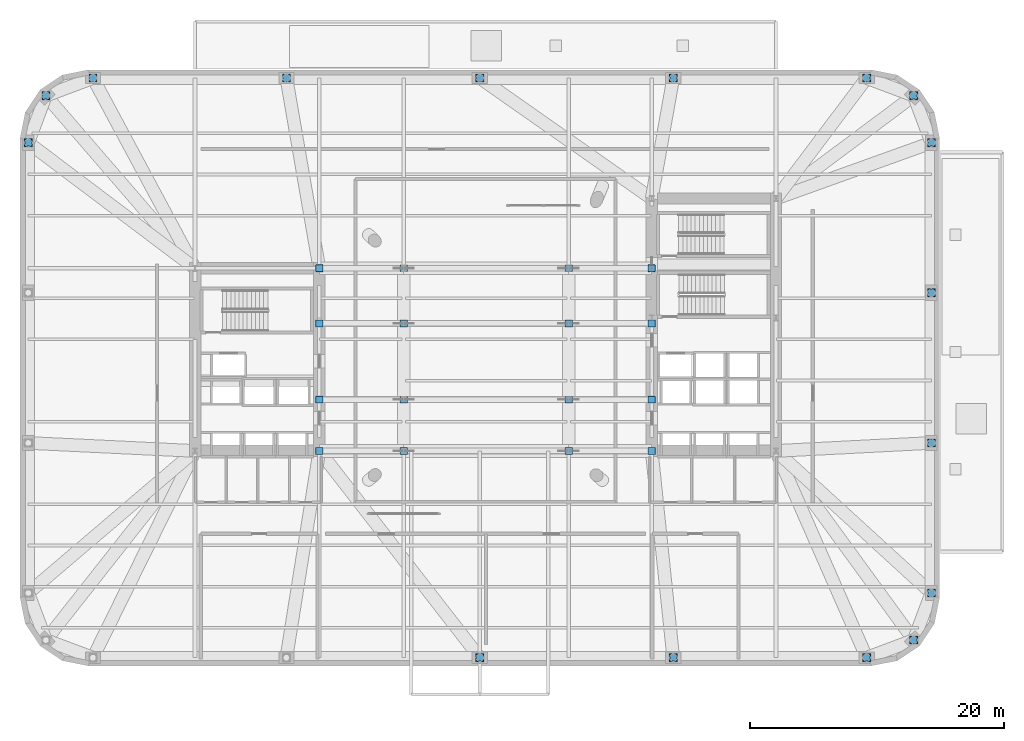
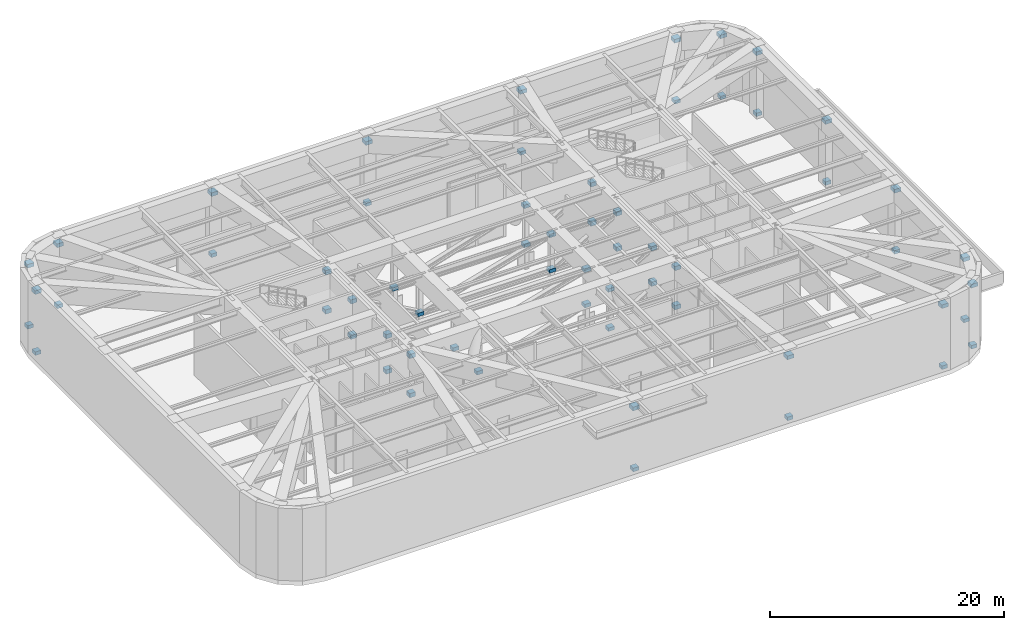
# One storey, part 11 of 15: 76 discrete accessories.
"""IFC4 building model written with IfcOpenShell, lengths in metres."""

from ifc_helpers import new_model, si_unit, direction, frame, origin, origin_2d, place, context, subcontext, project, spatial, rectangle, extrude, material, type_object, element, save


model = new_model("IFC4")

# Units and contexts
model_context = context("Model", 3, precision=1e-05, world=origin(), true_north=direction((0.0, 1.0)))
body_context = subcontext(model_context, "Body", "Model", "MODEL_VIEW")
ifc_project = project(units=[si_unit("LENGTHUNIT", "METRE"), si_unit("AREAUNIT", "SQUARE_METRE"), si_unit("VOLUMEUNIT", "CUBIC_METRE"), si_unit("PLANEANGLEUNIT", "RADIAN"), si_unit("MASSUNIT", "GRAM", prefix="KILO")], contexts=[model_context])

# Site, building, storey
site_placement = place(None, origin())
site = spatial("IfcSite", under=ifc_project, at=site_placement, CompositionType="ELEMENT")
building_placement = place(site_placement, origin())
building = spatial("IfcBuilding", under=site, at=building_placement, Name="Kolvaren Arena Tower", CompositionType="ELEMENT")
storey_placement = place(building_placement, frame((0.0, 0.0, 34.0)))
storey = spatial("IfcBuildingStorey", under=building, at=storey_placement, Name="L06", CompositionType="ELEMENT", Elevation=34.0)

# Discrete accessories
ifc_material = material(Name="Steel CSA G40.21 350W bolted gusset connection", Category="steel")
discrete_accessory_type = type_object("IfcDiscreteAccessoryType", Name="ACC-CONN-1", PredefinedType="BRACKET", material=ifc_material)
discrete_accessory_1_placement = place(storey_placement, frame((37.0, 3.14990234375, 0.0), z_axis=(0.0, 0.0, 1.0), x_axis=(1.0, 0.0, 0.0)))
element("IfcDiscreteAccessory", 1, at=discrete_accessory_1_placement, inside=storey, type_object=discrete_accessory_type, Name="Exoskeleton Strut Foot Connection 03 (L06)", PredefinedType="BRACKET", context=body_context, shape_type="SweptSolid", body=[
    extrude(rectangle(XDim=0.550048828125, YDim=0.550048828125, at=origin_2d()), origin(), (0.0, 0.0, 1.0), 0.360107421875),
])
discrete_accessory_2_placement = place(storey_placement, frame((37.0, 3.14990234375, 6.41015625), z_axis=(0.0, 0.0, 1.0), x_axis=(1.0, 0.0, 0.0)))
element("IfcDiscreteAccessory", 2, at=discrete_accessory_2_placement, inside=storey, type_object=discrete_accessory_type, Name="Exoskeleton Strut Head Connection 03 (L06)", PredefinedType="BRACKET", context=body_context, shape_type="SweptSolid", body=[
    extrude(rectangle(XDim=0.64990234375, YDim=0.64990234375, at=origin_2d()), origin(), (0.0, 0.0, 1.0), 0.3798828125),
])
discrete_accessory_3_placement = place(storey_placement, frame((52.25, 3.14990234375, 0.0), z_axis=(0.0, 0.0, 1.0), x_axis=(1.0, 0.0, 0.0)))
element("IfcDiscreteAccessory", 3, at=discrete_accessory_3_placement, inside=storey, type_object=discrete_accessory_type, Name="Exoskeleton Strut Foot Connection 04 (L06)", PredefinedType="BRACKET", context=body_context, shape_type="SweptSolid", body=[
    extrude(rectangle(XDim=0.550048828125, YDim=0.550048828125, at=origin_2d()), origin(), (0.0, 0.0, 1.0), 0.360107421875),
])
discrete_accessory_4_placement = place(storey_placement, frame((52.25, 3.14990234375, 6.41015625), z_axis=(0.0, 0.0, 1.0), x_axis=(1.0, 0.0, 0.0)))
element("IfcDiscreteAccessory", 4, at=discrete_accessory_4_placement, inside=storey, type_object=discrete_accessory_type, Name="Exoskeleton Strut Head Connection 04 (L06)", PredefinedType="BRACKET", context=body_context, shape_type="SweptSolid", body=[
    extrude(rectangle(XDim=0.64990234375, YDim=0.64990234375, at=origin_2d()), origin(), (0.0, 0.0, 1.0), 0.3798828125),
])
discrete_accessory_5_placement = place(storey_placement, frame((67.5, 3.14990234375, 0.0), z_axis=(0.0, 0.0, 1.0), x_axis=(1.0, 0.0, 0.0)))
element("IfcDiscreteAccessory", 5, at=discrete_accessory_5_placement, inside=storey, type_object=discrete_accessory_type, Name="Exoskeleton Strut Foot Connection 05 (L06)", PredefinedType="BRACKET", context=body_context, shape_type="SweptSolid", body=[
    extrude(rectangle(XDim=0.550048828125, YDim=0.550048828125, at=origin_2d()), origin(), (0.0, 0.0, 1.0), 0.360107421875),
])
discrete_accessory_6_placement = place(storey_placement, frame((67.5, 3.14990234375, 6.41015625), z_axis=(0.0, 0.0, 1.0), x_axis=(1.0, 0.0, 0.0)))
element("IfcDiscreteAccessory", 6, at=discrete_accessory_6_placement, inside=storey, type_object=discrete_accessory_type, Name="Exoskeleton Strut Head Connection 05 (L06)", PredefinedType="BRACKET", context=body_context, shape_type="SweptSolid", body=[
    extrude(rectangle(XDim=0.64990234375, YDim=0.64990234375, at=origin_2d()), origin(), (0.0, 0.0, 1.0), 0.3798828125),
])
discrete_accessory_7_placement = place(storey_placement, frame((71.208740234375, 4.541259765625, 0.0), z_axis=(0.0, 0.0, 1.0), x_axis=(1.0, 0.0, 0.0)))
element("IfcDiscreteAccessory", 7, at=discrete_accessory_7_placement, inside=storey, type_object=discrete_accessory_type, Name="Exoskeleton Strut Foot Connection 06 (L06)", PredefinedType="BRACKET", context=body_context, shape_type="SweptSolid", body=[
    extrude(rectangle(XDim=0.550048828125, YDim=0.550048828125, at=origin_2d()), origin(), (0.0, 0.0, 1.0), 0.360107421875),
])
discrete_accessory_8_placement = place(storey_placement, frame((71.208740234375, 4.541259765625, 6.41015625), z_axis=(0.0, 0.0, 1.0), x_axis=(1.0, 0.0, 0.0)))
element("IfcDiscreteAccessory", 8, at=discrete_accessory_8_placement, inside=storey, type_object=discrete_accessory_type, Name="Exoskeleton Strut Head Connection 06 (L06)", PredefinedType="BRACKET", context=body_context, shape_type="SweptSolid", body=[
    extrude(rectangle(XDim=0.64990234375, YDim=0.64990234375, at=origin_2d()), origin(), (0.0, 0.0, 1.0), 0.3798828125),
])
discrete_accessory_9_placement = place(storey_placement, frame((72.60009765625, 8.25, 0.0), z_axis=(0.0, 0.0, 1.0), x_axis=(1.0, 0.0, 0.0)))
element("IfcDiscreteAccessory", 9, at=discrete_accessory_9_placement, inside=storey, type_object=discrete_accessory_type, Name="Exoskeleton Strut Foot Connection 07 (L06)", PredefinedType="BRACKET", context=body_context, shape_type="SweptSolid", body=[
    extrude(rectangle(XDim=0.550048828125, YDim=0.550048828125, at=origin_2d()), origin(), (0.0, 0.0, 1.0), 0.360107421875),
])
discrete_accessory_10_placement = place(storey_placement, frame((72.60009765625, 8.25, 6.41015625), z_axis=(0.0, 0.0, 1.0), x_axis=(1.0, 0.0, 0.0)))
element("IfcDiscreteAccessory", 10, at=discrete_accessory_10_placement, inside=storey, type_object=discrete_accessory_type, Name="Exoskeleton Strut Head Connection 07 (L06)", PredefinedType="BRACKET", context=body_context, shape_type="SweptSolid", body=[
    extrude(rectangle(XDim=0.64990234375, YDim=0.64990234375, at=origin_2d()), origin(), (0.0, 0.0, 1.0), 0.3798828125),
])
discrete_accessory_11_placement = place(storey_placement, frame((72.60009765625, 20.083251953125, 0.0), z_axis=(0.0, 0.0, 1.0), x_axis=(1.0, 0.0, 0.0)))
element("IfcDiscreteAccessory", 11, at=discrete_accessory_11_placement, inside=storey, type_object=discrete_accessory_type, Name="Exoskeleton Strut Foot Connection 08 (L06)", PredefinedType="BRACKET", context=body_context, shape_type="SweptSolid", body=[
    extrude(rectangle(XDim=0.550048828125, YDim=0.550048828125, at=origin_2d()), origin(), (0.0, 0.0, 1.0), 0.360107421875),
])
discrete_accessory_12_placement = place(storey_placement, frame((72.60009765625, 20.083251953125, 6.41015625), z_axis=(0.0, 0.0, 1.0), x_axis=(1.0, 0.0, 0.0)))
element("IfcDiscreteAccessory", 12, at=discrete_accessory_12_placement, inside=storey, type_object=discrete_accessory_type, Name="Exoskeleton Strut Head Connection 08 (L06)", PredefinedType="BRACKET", context=body_context, shape_type="SweptSolid", body=[
    extrude(rectangle(XDim=0.64990234375, YDim=0.64990234375, at=origin_2d()), origin(), (0.0, 0.0, 1.0), 0.3798828125),
])
discrete_accessory_13_placement = place(storey_placement, frame((72.60009765625, 31.916748046875, 0.0), z_axis=(0.0, 0.0, 1.0), x_axis=(1.0, 0.0, 0.0)))
element("IfcDiscreteAccessory", 13, at=discrete_accessory_13_placement, inside=storey, type_object=discrete_accessory_type, Name="Exoskeleton Strut Foot Connection 09 (L06)", PredefinedType="BRACKET", context=body_context, shape_type="SweptSolid", body=[
    extrude(rectangle(XDim=0.550048828125, YDim=0.550048828125, at=origin_2d()), origin(), (0.0, 0.0, 1.0), 0.360107421875),
])
discrete_accessory_14_placement = place(storey_placement, frame((72.60009765625, 31.916748046875, 6.41015625), z_axis=(0.0, 0.0, 1.0), x_axis=(1.0, 0.0, 0.0)))
element("IfcDiscreteAccessory", 14, at=discrete_accessory_14_placement, inside=storey, type_object=discrete_accessory_type, Name="Exoskeleton Strut Head Connection 09 (L06)", PredefinedType="BRACKET", context=body_context, shape_type="SweptSolid", body=[
    extrude(rectangle(XDim=0.64990234375, YDim=0.64990234375, at=origin_2d()), origin(), (0.0, 0.0, 1.0), 0.3798828125),
])
discrete_accessory_15_placement = place(storey_placement, frame((72.60009765625, 43.75, 0.0), z_axis=(0.0, 0.0, 1.0), x_axis=(1.0, 0.0, 0.0)))
element("IfcDiscreteAccessory", 15, at=discrete_accessory_15_placement, inside=storey, type_object=discrete_accessory_type, Name="Exoskeleton Strut Foot Connection 10 (L06)", PredefinedType="BRACKET", context=body_context, shape_type="SweptSolid", body=[
    extrude(rectangle(XDim=0.550048828125, YDim=0.550048828125, at=origin_2d()), origin(), (0.0, 0.0, 1.0), 0.360107421875),
])
discrete_accessory_16_placement = place(storey_placement, frame((72.60009765625, 43.75, 6.41015625), z_axis=(0.0, 0.0, 1.0), x_axis=(1.0, 0.0, 0.0)))
element("IfcDiscreteAccessory", 16, at=discrete_accessory_16_placement, inside=storey, type_object=discrete_accessory_type, Name="Exoskeleton Strut Head Connection 10 (L06)", PredefinedType="BRACKET", context=body_context, shape_type="SweptSolid", body=[
    extrude(rectangle(XDim=0.64990234375, YDim=0.64990234375, at=origin_2d()), origin(), (0.0, 0.0, 1.0), 0.3798828125),
])
discrete_accessory_17_placement = place(storey_placement, frame((71.208740234375, 47.458740234375, 0.0), z_axis=(0.0, 0.0, 1.0), x_axis=(1.0, 0.0, 0.0)))
element("IfcDiscreteAccessory", 17, at=discrete_accessory_17_placement, inside=storey, type_object=discrete_accessory_type, Name="Exoskeleton Strut Foot Connection 11 (L06)", PredefinedType="BRACKET", context=body_context, shape_type="SweptSolid", body=[
    extrude(rectangle(XDim=0.550048828125, YDim=0.550048828125, at=origin_2d()), origin(), (0.0, 0.0, 1.0), 0.360107421875),
])
discrete_accessory_18_placement = place(storey_placement, frame((71.208740234375, 47.458740234375, 6.41015625), z_axis=(0.0, 0.0, 1.0), x_axis=(1.0, 0.0, 0.0)))
element("IfcDiscreteAccessory", 18, at=discrete_accessory_18_placement, inside=storey, type_object=discrete_accessory_type, Name="Exoskeleton Strut Head Connection 11 (L06)", PredefinedType="BRACKET", context=body_context, shape_type="SweptSolid", body=[
    extrude(rectangle(XDim=0.64990234375, YDim=0.64990234375, at=origin_2d()), origin(), (0.0, 0.0, 1.0), 0.3798828125),
])
discrete_accessory_19_placement = place(storey_placement, frame((67.5, 48.85009765625, 0.0), z_axis=(0.0, 0.0, 1.0), x_axis=(1.0, 0.0, 0.0)))
element("IfcDiscreteAccessory", 19, at=discrete_accessory_19_placement, inside=storey, type_object=discrete_accessory_type, Name="Exoskeleton Strut Foot Connection 12 (L06)", PredefinedType="BRACKET", context=body_context, shape_type="SweptSolid", body=[
    extrude(rectangle(XDim=0.550048828125, YDim=0.550048828125, at=origin_2d()), origin(), (0.0, 0.0, 1.0), 0.360107421875),
])
discrete_accessory_20_placement = place(storey_placement, frame((67.5, 48.85009765625, 6.41015625), z_axis=(0.0, 0.0, 1.0), x_axis=(1.0, 0.0, 0.0)))
element("IfcDiscreteAccessory", 20, at=discrete_accessory_20_placement, inside=storey, type_object=discrete_accessory_type, Name="Exoskeleton Strut Head Connection 12 (L06)", PredefinedType="BRACKET", context=body_context, shape_type="SweptSolid", body=[
    extrude(rectangle(XDim=0.64990234375, YDim=0.64990234375, at=origin_2d()), origin(), (0.0, 0.0, 1.0), 0.3798828125),
])
discrete_accessory_21_placement = place(storey_placement, frame((52.25, 48.85009765625, 0.0), z_axis=(0.0, 0.0, 1.0), x_axis=(1.0, 0.0, 0.0)))
element("IfcDiscreteAccessory", 21, at=discrete_accessory_21_placement, inside=storey, type_object=discrete_accessory_type, Name="Exoskeleton Strut Foot Connection 13 (L06)", PredefinedType="BRACKET", context=body_context, shape_type="SweptSolid", body=[
    extrude(rectangle(XDim=0.550048828125, YDim=0.550048828125, at=origin_2d()), origin(), (0.0, 0.0, 1.0), 0.360107421875),
])
discrete_accessory_22_placement = place(storey_placement, frame((52.25, 48.85009765625, 6.41015625), z_axis=(0.0, 0.0, 1.0), x_axis=(1.0, 0.0, 0.0)))
element("IfcDiscreteAccessory", 22, at=discrete_accessory_22_placement, inside=storey, type_object=discrete_accessory_type, Name="Exoskeleton Strut Head Connection 13 (L06)", PredefinedType="BRACKET", context=body_context, shape_type="SweptSolid", body=[
    extrude(rectangle(XDim=0.64990234375, YDim=0.64990234375, at=origin_2d()), origin(), (0.0, 0.0, 1.0), 0.3798828125),
])
discrete_accessory_23_placement = place(storey_placement, frame((37.0, 48.85009765625, 0.0), z_axis=(0.0, 0.0, 1.0), x_axis=(1.0, 0.0, 0.0)))
element("IfcDiscreteAccessory", 23, at=discrete_accessory_23_placement, inside=storey, type_object=discrete_accessory_type, Name="Exoskeleton Strut Foot Connection 14 (L06)", PredefinedType="BRACKET", context=body_context, shape_type="SweptSolid", body=[
    extrude(rectangle(XDim=0.550048828125, YDim=0.550048828125, at=origin_2d()), origin(), (0.0, 0.0, 1.0), 0.360107421875),
])
discrete_accessory_24_placement = place(storey_placement, frame((37.0, 48.85009765625, 6.41015625), z_axis=(0.0, 0.0, 1.0), x_axis=(1.0, 0.0, 0.0)))
element("IfcDiscreteAccessory", 24, at=discrete_accessory_24_placement, inside=storey, type_object=discrete_accessory_type, Name="Exoskeleton Strut Head Connection 14 (L06)", PredefinedType="BRACKET", context=body_context, shape_type="SweptSolid", body=[
    extrude(rectangle(XDim=0.64990234375, YDim=0.64990234375, at=origin_2d()), origin(), (0.0, 0.0, 1.0), 0.3798828125),
])
discrete_accessory_25_placement = place(storey_placement, frame((21.75, 48.85009765625, 0.0), z_axis=(0.0, 0.0, 1.0), x_axis=(1.0, 0.0, 0.0)))
element("IfcDiscreteAccessory", 25, at=discrete_accessory_25_placement, inside=storey, type_object=discrete_accessory_type, Name="Exoskeleton Strut Foot Connection 15 (L06)", PredefinedType="BRACKET", context=body_context, shape_type="SweptSolid", body=[
    extrude(rectangle(XDim=0.550048828125, YDim=0.550048828125, at=origin_2d()), origin(), (0.0, 0.0, 1.0), 0.360107421875),
])
discrete_accessory_26_placement = place(storey_placement, frame((21.75, 48.85009765625, 6.41015625), z_axis=(0.0, 0.0, 1.0), x_axis=(1.0, 0.0, 0.0)))
element("IfcDiscreteAccessory", 26, at=discrete_accessory_26_placement, inside=storey, type_object=discrete_accessory_type, Name="Exoskeleton Strut Head Connection 15 (L06)", PredefinedType="BRACKET", context=body_context, shape_type="SweptSolid", body=[
    extrude(rectangle(XDim=0.64990234375, YDim=0.64990234375, at=origin_2d()), origin(), (0.0, 0.0, 1.0), 0.3798828125),
])
discrete_accessory_27_placement = place(storey_placement, frame((6.5, 48.85009765625, 0.0), z_axis=(0.0, 0.0, 1.0), x_axis=(1.0, 0.0, 0.0)))
element("IfcDiscreteAccessory", 27, at=discrete_accessory_27_placement, inside=storey, type_object=discrete_accessory_type, Name="Exoskeleton Strut Foot Connection 16 (L06)", PredefinedType="BRACKET", context=body_context, shape_type="SweptSolid", body=[
    extrude(rectangle(XDim=0.550048828125, YDim=0.550048828125, at=origin_2d()), origin(), (0.0, 0.0, 1.0), 0.360107421875),
])
discrete_accessory_28_placement = place(storey_placement, frame((6.5, 48.85009765625, 6.41015625), z_axis=(0.0, 0.0, 1.0), x_axis=(1.0, 0.0, 0.0)))
element("IfcDiscreteAccessory", 28, at=discrete_accessory_28_placement, inside=storey, type_object=discrete_accessory_type, Name="Exoskeleton Strut Head Connection 16 (L06)", PredefinedType="BRACKET", context=body_context, shape_type="SweptSolid", body=[
    extrude(rectangle(XDim=0.64990234375, YDim=0.64990234375, at=origin_2d()), origin(), (0.0, 0.0, 1.0), 0.3798828125),
])
discrete_accessory_29_placement = place(storey_placement, frame((2.791259765625, 47.458740234375, 0.0), z_axis=(0.0, 0.0, 1.0), x_axis=(1.0, 0.0, 0.0)))
element("IfcDiscreteAccessory", 29, at=discrete_accessory_29_placement, inside=storey, type_object=discrete_accessory_type, Name="Exoskeleton Strut Foot Connection 17 (L06)", PredefinedType="BRACKET", context=body_context, shape_type="SweptSolid", body=[
    extrude(rectangle(XDim=0.550048828125, YDim=0.550048828125, at=origin_2d()), origin(), (0.0, 0.0, 1.0), 0.360107421875),
])
discrete_accessory_30_placement = place(storey_placement, frame((2.791259765625, 47.458740234375, 6.41015625), z_axis=(0.0, 0.0, 1.0), x_axis=(1.0, 0.0, 0.0)))
element("IfcDiscreteAccessory", 30, at=discrete_accessory_30_placement, inside=storey, type_object=discrete_accessory_type, Name="Exoskeleton Strut Head Connection 17 (L06)", PredefinedType="BRACKET", context=body_context, shape_type="SweptSolid", body=[
    extrude(rectangle(XDim=0.64990234375, YDim=0.64990234375, at=origin_2d()), origin(), (0.0, 0.0, 1.0), 0.3798828125),
])
discrete_accessory_31_placement = place(storey_placement, frame((1.39990234375, 43.75, 0.0), z_axis=(0.0, 0.0, 1.0), x_axis=(1.0, 0.0, 0.0)))
element("IfcDiscreteAccessory", 31, at=discrete_accessory_31_placement, inside=storey, type_object=discrete_accessory_type, Name="Exoskeleton Strut Foot Connection 18 (L06)", PredefinedType="BRACKET", context=body_context, shape_type="SweptSolid", body=[
    extrude(rectangle(XDim=0.550048828125, YDim=0.550048828125, at=origin_2d()), origin(), (0.0, 0.0, 1.0), 0.360107421875),
])
discrete_accessory_32_placement = place(storey_placement, frame((1.39990234375, 43.75, 6.41015625), z_axis=(0.0, 0.0, 1.0), x_axis=(1.0, 0.0, 0.0)))
element("IfcDiscreteAccessory", 32, at=discrete_accessory_32_placement, inside=storey, type_object=discrete_accessory_type, Name="Exoskeleton Strut Head Connection 18 (L06)", PredefinedType="BRACKET", context=body_context, shape_type="SweptSolid", body=[
    extrude(rectangle(XDim=0.64990234375, YDim=0.64990234375, at=origin_2d()), origin(), (0.0, 0.0, 1.0), 0.3798828125),
])
for number, where, z_axis, x_axis, name in (
    (33, (24.35009765625, 19.449951171875, 6.41015625), (0.0, 0.0, 1.0), (1.0, 0.0, 0.0), "Mega-Truss Diagonal Gusset Connection T1-1"),
    (34, (31.0, 19.449951171875, 2.31982421875), (0.0, 0.0, 1.0), (1.0, 0.0, 0.0), "Mega-Truss Diagonal Gusset Connection T1-1"),
    (35, (24.35009765625, 19.449951171875, 2.31982421875), (0.0, 0.0, 1.0), (1.0, 0.0, 0.0), "Mega-Truss Diagonal Gusset Connection T1-1"),
    (36, (44.0, 19.449951171875, 6.41015625), (0.0, 0.0, 1.0), (1.0, 0.0, 0.0), "Mega-Truss Diagonal Gusset Connection T1-2"),
    (37, (44.0, 19.449951171875, 2.31982421875), (0.0, 0.0, 1.0), (1.0, 0.0, 0.0), "Mega-Truss Diagonal Gusset Connection T1-2"),
    (38, (50.550048828125, 19.449951171875, 6.41015625), (0.0, 0.0, 1.0), (1.0, 0.0, 0.0), "Mega-Truss Diagonal Gusset Connection T1-3"),
    (39, (50.550048828125, 19.449951171875, 2.31982421875), (0.0, 0.0, 1.0), (1.0, 0.0, 0.0), "Mega-Truss Diagonal Gusset Connection T1-3"),
    (40, (24.35009765625, 23.5, 6.009765625), (0.0, 0.0, 1.0), (1.0, 0.0, 0.0), "Mega-Truss Diagonal Gusset Connection T2-1"),
    (41, (31.0, 23.5, 2.31982421875), (0.0, 0.0, 1.0), (1.0, 0.0, 0.0), "Mega-Truss Diagonal Gusset Connection T2-1"),
    (42, (24.35009765625, 23.5, 2.31982421875), (0.0, 0.0, 1.0), (1.0, 0.0, 0.0), "Mega-Truss Diagonal Gusset Connection T2-1"),
    (43, (44.0, 23.5, 6.009765625), (0.0, 0.0, 1.0), (1.0, 0.0, 0.0), "Mega-Truss Diagonal Gusset Connection T2-2"),
    (44, (44.0, 23.5, 2.31982421875), (0.0, 0.0, 1.0), (1.0, 0.0, 0.0), "Mega-Truss Diagonal Gusset Connection T2-2"),
    (45, (50.550048828125, 23.5, 6.009765625), (0.0, 0.0, 1.0), (1.0, 0.0, 0.0), "Mega-Truss Diagonal Gusset Connection T2-3"),
    (46, (50.550048828125, 23.5, 2.31982421875), (0.0, 0.0, 1.0), (1.0, 0.0, 0.0), "Mega-Truss Diagonal Gusset Connection T2-3"),
    (47, (24.35009765625, 29.5, 6.009765625), (0.0, 0.0, 1.0), (1.0, 0.0, 0.0), "Mega-Truss Diagonal Gusset Connection T3-1"),
    (48, (31.0, 29.5, 2.31982421875), (0.0, 0.0, 1.0), (1.0, 0.0, 0.0), "Mega-Truss Diagonal Gusset Connection T3-1"),
    (49, (24.35009765625, 29.5, 2.31982421875), (0.0, 0.0, 1.0), (1.0, 0.0, 0.0), "Mega-Truss Diagonal Gusset Connection T3-1"),
    (50, (44.0, 29.5, 6.009765625), (0.0, 0.0, 1.0), (1.0, 0.0, 0.0), "Mega-Truss Diagonal Gusset Connection T3-2"),
    (51, (44.0, 29.5, 2.31982421875), (0.0, 0.0, 1.0), (1.0, 0.0, 0.0), "Mega-Truss Diagonal Gusset Connection T3-2"),
    (52, (50.550048828125, 29.5, 6.009765625), (0.0, 0.0, 1.0), (1.0, 0.0, 0.0), "Mega-Truss Diagonal Gusset Connection T3-3"),
    (53, (50.550048828125, 29.5, 2.31982421875), (0.0, 0.0, 1.0), (1.0, 0.0, 0.0), "Mega-Truss Diagonal Gusset Connection T3-3"),
    (54, (24.35009765625, 33.85009765625, 6.41015625), (0.0, 0.0, 1.0), (1.0, 0.0, 0.0), "Mega-Truss Diagonal Gusset Connection T4-1"),
    (55, (31.0, 33.85009765625, 2.31982421875), (0.0, 0.0, 1.0), (1.0, 0.0, 0.0), "Mega-Truss Diagonal Gusset Connection T4-1"),
    (56, (24.35009765625, 33.85009765625, 2.31982421875), (0.0, 0.0, 1.0), (1.0, 0.0, 0.0), "Mega-Truss Diagonal Gusset Connection T4-1"),
    (57, (44.0, 33.85009765625, 6.41015625), (0.0, 0.0, 1.0), (1.0, 0.0, 0.0), "Mega-Truss Diagonal Gusset Connection T4-2"),
    (58, (44.0, 33.85009765625, 2.31982421875), (0.0, 0.0, 1.0), (1.0, 0.0, 0.0), "Mega-Truss Diagonal Gusset Connection T4-2"),
    (59, (50.550048828125, 33.85009765625, 6.41015625), (0.0, 0.0, 1.0), (1.0, 0.0, 0.0), "Mega-Truss Diagonal Gusset Connection T4-3"),
    (60, (50.550048828125, 33.85009765625, 2.31982421875), (0.0, 0.0, 1.0), (1.0, 0.0, 0.0), "Mega-Truss Diagonal Gusset Connection T4-3"),
):
    element("IfcDiscreteAccessory", number, at=place(storey_placement, frame(where, z_axis=z_axis, x_axis=x_axis)), inside=storey, type_object=discrete_accessory_type, Name=name, PredefinedType="BRACKET", context=body_context, shape_type="SweptSolid", body=[
        extrude(rectangle(XDim=0.60009765625, YDim=0.52001953125, at=origin_2d()), origin(), (0.0, 0.0, 1.0), 0.360107421875),
    ])
for number, where, z_axis, x_axis, name in (
    (61, (24.35009765625, 19.449951171875, 6.3701171875), (0.0, 0.0, 1.0), (1.0, 0.0, 0.0), "Core Wall Cast-In Embed Plate EP1 (L06)"),
    (62, (24.35009765625, 19.449951171875, 2.280029296875), (0.0, 0.0, 1.0), (1.0, 0.0, 0.0), "Core Wall Cast-In Embed Plate EP1 (L06)"),
    (63, (50.550048828125, 19.449951171875, 6.3701171875), (0.0, 0.0, 1.0), (1.0, 0.0, 0.0), "Core Wall Cast-In Embed Plate EP1 (L06)"),
    (64, (50.550048828125, 19.449951171875, 2.280029296875), (0.0, 0.0, 1.0), (1.0, 0.0, 0.0), "Core Wall Cast-In Embed Plate EP1 (L06)"),
    (65, (24.35009765625, 23.5, 5.969970703125), (0.0, 0.0, 1.0), (1.0, 0.0, 0.0), "Core Wall Cast-In Embed Plate EP1 (L06)"),
    (66, (24.35009765625, 23.5, 2.280029296875), (0.0, 0.0, 1.0), (1.0, 0.0, 0.0), "Core Wall Cast-In Embed Plate EP1 (L06)"),
    (67, (50.550048828125, 23.5, 5.969970703125), (0.0, 0.0, 1.0), (1.0, 0.0, 0.0), "Core Wall Cast-In Embed Plate EP1 (L06)"),
    (68, (50.550048828125, 23.5, 2.280029296875), (0.0, 0.0, 1.0), (1.0, 0.0, 0.0), "Core Wall Cast-In Embed Plate EP1 (L06)"),
    (69, (24.35009765625, 29.5, 5.969970703125), (0.0, 0.0, 1.0), (1.0, 0.0, 0.0), "Core Wall Cast-In Embed Plate EP1 (L06)"),
    (70, (24.35009765625, 29.5, 2.280029296875), (0.0, 0.0, 1.0), (1.0, 0.0, 0.0), "Core Wall Cast-In Embed Plate EP1 (L06)"),
    (71, (50.550048828125, 29.5, 5.969970703125), (0.0, 0.0, 1.0), (1.0, 0.0, 0.0), "Core Wall Cast-In Embed Plate EP1 (L06)"),
    (72, (50.550048828125, 29.5, 2.280029296875), (0.0, 0.0, 1.0), (1.0, 0.0, 0.0), "Core Wall Cast-In Embed Plate EP1 (L06)"),
    (73, (24.35009765625, 33.85009765625, 6.3701171875), (0.0, 0.0, 1.0), (1.0, 0.0, 0.0), "Core Wall Cast-In Embed Plate EP1 (L06)"),
    (74, (24.35009765625, 33.85009765625, 2.280029296875), (0.0, 0.0, 1.0), (1.0, 0.0, 0.0), "Core Wall Cast-In Embed Plate EP1 (L06)"),
    (75, (50.550048828125, 33.85009765625, 6.3701171875), (0.0, 0.0, 1.0), (1.0, 0.0, 0.0), "Core Wall Cast-In Embed Plate EP1 (L06)"),
    (76, (50.550048828125, 33.85009765625, 2.280029296875), (0.0, 0.0, 1.0), (1.0, 0.0, 0.0), "Core Wall Cast-In Embed Plate EP1 (L06)"),
):
    element("IfcDiscreteAccessory", number, at=place(storey_placement, frame(where, z_axis=z_axis, x_axis=x_axis)), inside=storey, type_object=discrete_accessory_type, Name=name, PredefinedType="BRACKET", context=body_context, shape_type="SweptSolid", body=[
        extrude(rectangle(XDim=0.56005859375, YDim=0.56005859375, at=origin_2d()), origin(), (0.0, 0.0, 1.0), 0.43994140625),
    ])

save(model, "model.ifc")
